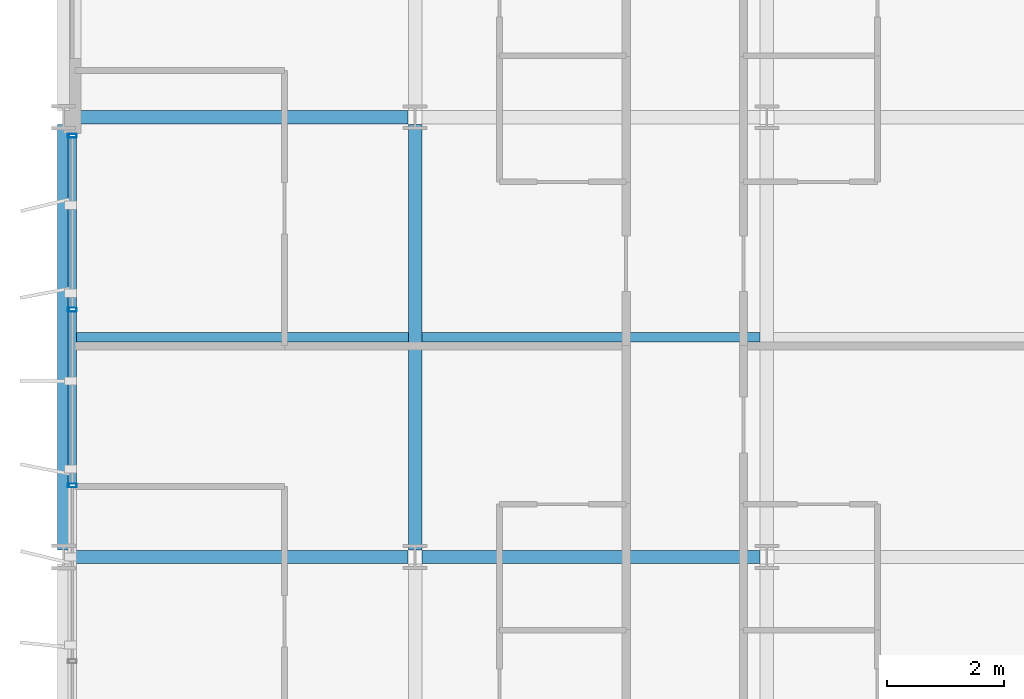
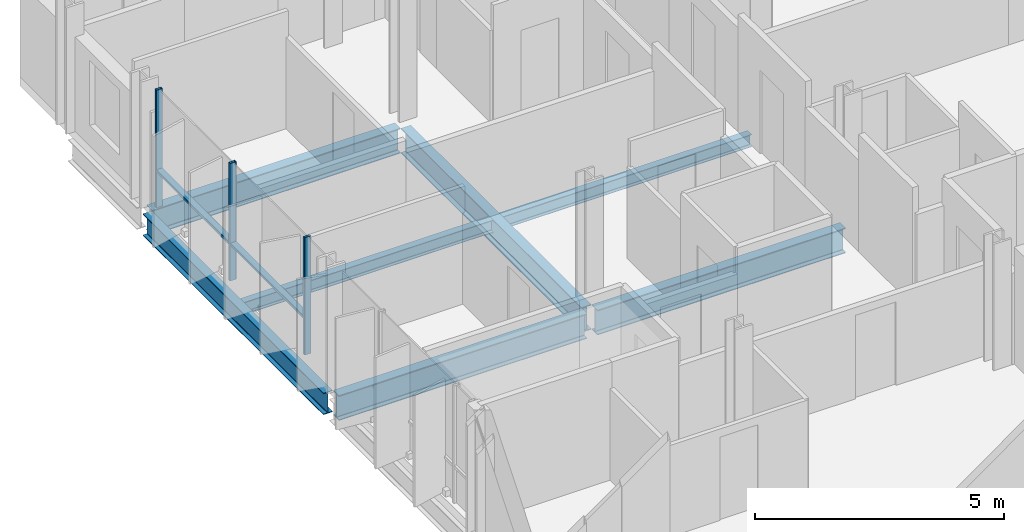
# One storey, part 5 of 39: 7 beams, 5 members, 1 element without a shape of its own.
"""IFC4 building model written with IfcOpenShell, lengths in metres."""

from ifc_helpers import new_model, si_unit, direction, frame, origin, origin_2d, place, context, subcontext, project, spatial, hollow_rectangle, i_section, extrude, material, layer, layer_set, material_profile, profile_set, type_object, element, aggregate, save


model = new_model("IFC4")

# Units and contexts
model_context = context("Model", 3, precision=1e-05, world=origin(), true_north=direction((0.0, 1.0)))
body_context = subcontext(model_context, "Body", "Model", "MODEL_VIEW")
ifc_project = project(units=[si_unit("LENGTHUNIT", "METRE"), si_unit("AREAUNIT", "SQUARE_METRE"), si_unit("VOLUMEUNIT", "CUBIC_METRE"), si_unit("PLANEANGLEUNIT", "RADIAN"), si_unit("MASSUNIT", "GRAM", prefix="KILO")], contexts=[model_context])

# Site, building, storey
site_placement = place(None, origin())
site = spatial("IfcSite", under=ifc_project, at=site_placement, CompositionType="ELEMENT")
building_placement = place(site_placement, origin())
building = spatial("IfcBuilding", under=site, at=building_placement, Name="Brevholm Reach", CompositionType="ELEMENT")
storey_placement = place(building_placement, frame((0.0, 0.0, 109.699951171875)))
storey = spatial("IfcBuildingStorey", under=building, at=storey_placement, Name="L32", CompositionType="ELEMENT", Elevation=109.699951171875)

# Beams
ifc_material_1 = material(Name="Structural Steel S355J2", Category="steel")
ifc_material_profile_1 = material_profile(ifc_material_1, i_section(OverallWidth=0.1650390625, OverallDepth=0.303466796875, WebThickness=0.006103515625, FlangeThickness=0.01025390625, FilletRadius=0.0087890625, at=origin_2d()), Name="UKB 305x165x40")
ifc_profile_set_1 = profile_set([ifc_material_profile_1], Name="Structural Steel S355J2")
beam_type_1 = type_object("IfcBeamType", Name="BM-B305", PredefinedType="BEAM", material=ifc_profile_set_1)
beam_1_placement = place(storey_placement, frame((0.104736328125, 19.75, -0.37158203125), z_axis=(1.0, 0.0, 0.0), x_axis=(0.0, 1.0, 0.0)))
element("IfcBeam", 1, at=beam_1_placement, inside=storey, type_object=beam_type_1, Name="L32 Composite Secondary Floor Beam", PredefinedType="BEAM", context=body_context, shape_type="SweptSolid", body=[
    extrude(i_section(OverallWidth=0.1650390625, OverallDepth=0.303466796875, WebThickness=0.006103515625, FlangeThickness=0.01025390625, FilletRadius=0.0087890625, at=origin_2d()), origin(), (0.0, 0.0, 1.0), 5.78076171875),
])
beam_2_placement = place(storey_placement, frame((6.114501953125, 19.75, -0.37158203125), z_axis=(1.0, 0.0, 0.0), x_axis=(0.0, 1.0, 0.0)))
element("IfcBeam", 2, at=beam_2_placement, inside=storey, type_object=beam_type_1, Name="L32 Composite Secondary Floor Beam", PredefinedType="BEAM", context=body_context, shape_type="SweptSolid", body=[
    extrude(i_section(OverallWidth=0.1650390625, OverallDepth=0.303466796875, WebThickness=0.006103515625, FlangeThickness=0.01025390625, FilletRadius=0.0087890625, at=origin_2d()), origin(), (0.0, 0.0, 1.0), 5.77099609375),
])
ifc_material_2 = material(Name="Structural Steel S355J2", Category="steel")
ifc_material_profile_2 = material_profile(ifc_material_2, i_section(OverallWidth=0.209228515625, OverallDepth=0.533203125, WebThickness=0.010009765625, FlangeThickness=0.015625, FilletRadius=0.0126953125, at=origin_2d()), Name="UKB 533x210x92")
ifc_profile_set_2 = profile_set([ifc_material_profile_2], Name="Structural Steel S355J2")
beam_type_2 = type_object("IfcBeamType", Name="BM-SP533", PredefinedType="SPANDREL", material=ifc_profile_set_2)
beam_3_placement = place(storey_placement, frame((0.0, 16.1201171875, -0.486572265625), z_axis=(0.0, 1.0, 0.0), x_axis=(-1.0, 0.0, 0.0)))
element("IfcBeam", 3, at=beam_3_placement, inside=storey, type_object=beam_type_2, Name="L32 SP-02 Framing Beam", PredefinedType="SPANDREL", context=body_context, shape_type="SweptSolid", body=[
    extrude(i_section(OverallWidth=0.209228515625, OverallDepth=0.533203125, WebThickness=0.010009765625, FlangeThickness=0.015625, FilletRadius=0.0126953125, at=origin_2d()), origin(), (0.0, 0.0, 1.0), 7.259765625),
])
ifc_material_3 = material(Name="Structural Steel S355J2", Category="steel")
ifc_material_profile_3 = material_profile(ifc_material_3, i_section(OverallWidth=0.22900390625, OverallDepth=0.6123046875, WebThickness=0.011962890625, FlangeThickness=0.01953125, FilletRadius=0.0126953125, at=origin_2d()), Name="UKB 610x229x125")
ifc_profile_set_3 = profile_set([ifc_material_profile_3], Name="Structural Steel S355J2")
beam_type_3 = type_object("IfcBeamType", Name="BM-SP610", PredefinedType="SPANDREL", material=ifc_profile_set_3)
for number, where, z_axis, x_axis, name in (
    (4, (0.1201171875, 16.0, -0.526123046875), (1.0, 0.0, 0.0), (0.0, 1.0, 0.0), "L32 SP-01 Framing Beam"),
    (5, (6.1201171875, 16.0, -0.526123046875), (1.0, 0.0, 0.0), (0.0, 1.0, 0.0), "L32 SP-01 Framing Beam"),
    (6, (0.1201171875, 23.5, -0.526123046875), (1.0, 0.0, 0.0), (0.0, 1.0, 0.0), "L32 SP-01 Framing Beam"),
):
    element("IfcBeam", number, at=place(storey_placement, frame(where, z_axis=z_axis, x_axis=x_axis)), inside=storey, type_object=beam_type_3, Name=name, PredefinedType="SPANDREL", context=body_context, shape_type="SweptSolid", body=[
        extrude(i_section(OverallWidth=0.22900390625, OverallDepth=0.6123046875, WebThickness=0.011962890625, FlangeThickness=0.01953125, FilletRadius=0.0126953125, at=origin_2d()), origin(), (0.0, 0.0, 1.0), 5.759765625),
    ])
beam_4_placement = place(storey_placement, frame((6.0, 16.1201171875, -0.526123046875), z_axis=(0.0, 1.0, 0.0), x_axis=(-1.0, 0.0, 0.0)))
element("IfcBeam", 7, at=beam_4_placement, inside=storey, type_object=beam_type_3, Name="L32 SP-01 Framing Beam", PredefinedType="SPANDREL", context=body_context, shape_type="SweptSolid", body=[
    extrude(i_section(OverallWidth=0.22900390625, OverallDepth=0.6123046875, WebThickness=0.011962890625, FlangeThickness=0.01953125, FilletRadius=0.0126953125, at=origin_2d()), origin(), (0.0, 0.0, 1.0), 7.259765625),
])

# Curtain wall, members
ifc_material_4 = material(Name="Dark Anodised Aluminium 6063-T6 and Solar-Control Glass", Category="aluminium")
ifc_layer = layer(ifc_material_4, 0.14990234375)
ifc_layer_set = layer_set([ifc_layer], Name="Dark Anodised Aluminium 6063-T6 and Solar-Control Glass")
curtain_wall_type = type_object("IfcCurtainWallType", Name="CW-01", PredefinedType="NOTDEFINED", material=ifc_layer_set)
curtain_wall_placement = place(storey_placement, origin())
curtain_wall = element("IfcCurtainWall", 8, at=curtain_wall_placement, inside=storey, type_object=curtain_wall_type, Name="L32 Curtain Wall CW-01", PredefinedType="NOTDEFINED")
ifc_material_5 = material(Name="Dark Anodised Aluminium 6063-T6", Category="aluminium")
ifc_material_profile_4 = material_profile(ifc_material_5, hollow_rectangle(XDim=0.06494140625, YDim=0.14990234375, WallThickness=0.0048828125, InnerFilletRadius=0.0048828125, OuterFilletRadius=0.010009765625, at=origin_2d()), Name="RHS 150x65x5")
ifc_profile_set_4 = profile_set([ifc_material_profile_4], Name="Dark Anodised Aluminium 6063-T6")
member_type_1 = type_object("IfcMemberType", Name="CWM-150", PredefinedType="MULLION", material=ifc_profile_set_4)
member_1_placement = place(storey_placement, frame((0.14990234375, 23.1875, 0.0), z_axis=(0.0, 0.0, 1.0), x_axis=(0.0, -1.0, 0.0)))
member_1 = element("IfcMember", 9, at=member_1_placement, type_object=member_type_1, Name="CM-150 Mullion 1", PredefinedType="MULLION", context=body_context, shape_type="SweptSolid", body=[
    extrude(hollow_rectangle(XDim=0.06494140625, YDim=0.14990234375, WallThickness=0.0048828125, InnerFilletRadius=0.0048828125, OuterFilletRadius=0.010009765625, at=origin_2d()), origin(), (0.0, 0.0, 1.0), 2.880126953125),
])
member_2_placement = place(storey_placement, frame((0.14990234375, 20.219970703125, 0.0), z_axis=(0.0, 0.0, 1.0), x_axis=(0.0, -1.0, 0.0)))
member_2 = element("IfcMember", 10, at=member_2_placement, type_object=member_type_1, Name="CM-150 Mullion 2", PredefinedType="MULLION", context=body_context, shape_type="SweptSolid", body=[
    extrude(hollow_rectangle(XDim=0.06494140625, YDim=0.14990234375, WallThickness=0.0048828125, InnerFilletRadius=0.0048828125, OuterFilletRadius=0.010009765625, at=origin_2d()), origin(), (0.0, 0.0, 1.0), 2.880126953125),
])
member_3_placement = place(storey_placement, frame((0.14990234375, 17.219970703125, 0.0), z_axis=(0.0, 0.0, 1.0), x_axis=(0.0, -1.0, 0.0)))
member_3 = element("IfcMember", 11, at=member_3_placement, type_object=member_type_1, Name="CM-150 Mullion 3", PredefinedType="MULLION", context=body_context, shape_type="SweptSolid", body=[
    extrude(hollow_rectangle(XDim=0.06494140625, YDim=0.14990234375, WallThickness=0.0048828125, InnerFilletRadius=0.0048828125, OuterFilletRadius=0.010009765625, at=origin_2d()), origin(), (0.0, 0.0, 1.0), 2.880126953125),
])
ifc_material_6 = material(Name="Dark Anodised Aluminium 6063-T6", Category="aluminium")
ifc_material_profile_5 = material_profile(ifc_material_6, hollow_rectangle(XDim=0.06494140625, YDim=0.14990234375, WallThickness=0.0048828125, InnerFilletRadius=0.0048828125, OuterFilletRadius=0.010009765625, at=origin_2d()), Name="RHS 150x65x5")
ifc_profile_set_5 = profile_set([ifc_material_profile_5], Name="Dark Anodised Aluminium 6063-T6")
member_type_2 = type_object("IfcMemberType", Name="CWT-150", PredefinedType="NOTDEFINED", material=ifc_profile_set_5)
member_4_placement = place(storey_placement, frame((0.14990234375, 23.155029296875, 0.900146484375), z_axis=(0.0, -1.0, 0.0), x_axis=(0.0, 0.0, 1.0)))
member_4 = element("IfcMember", 12, at=member_4_placement, type_object=member_type_2, Name="CT-150 Transom 1.1", ObjectType="TRANSOM", PredefinedType="USERDEFINED", context=body_context, shape_type="SweptSolid", body=[
    extrude(hollow_rectangle(XDim=0.06494140625, YDim=0.14990234375, WallThickness=0.0048828125, InnerFilletRadius=0.0048828125, OuterFilletRadius=0.010009765625, at=origin_2d()), origin(), (0.0, 0.0, 1.0), 2.902587890625),
])
member_5_placement = place(storey_placement, frame((0.14990234375, 20.1875, 0.900146484375), z_axis=(0.0, -1.0, 0.0), x_axis=(0.0, 0.0, 1.0)))
member_5 = element("IfcMember", 13, at=member_5_placement, type_object=member_type_2, Name="CT-150 Transom 2.1", ObjectType="TRANSOM", PredefinedType="USERDEFINED", context=body_context, shape_type="SweptSolid", body=[
    extrude(hollow_rectangle(XDim=0.06494140625, YDim=0.14990234375, WallThickness=0.0048828125, InnerFilletRadius=0.0048828125, OuterFilletRadius=0.010009765625, at=origin_2d()), origin(), (0.0, 0.0, 1.0), 2.93505859375),
])
aggregate(curtain_wall, [member_1, member_2, member_3, member_4, member_5])

save(model, "model.ifc")
